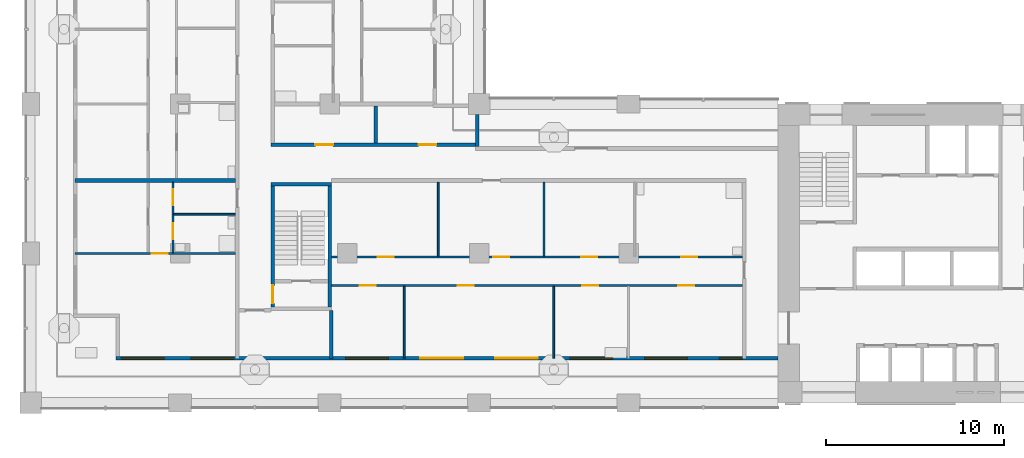
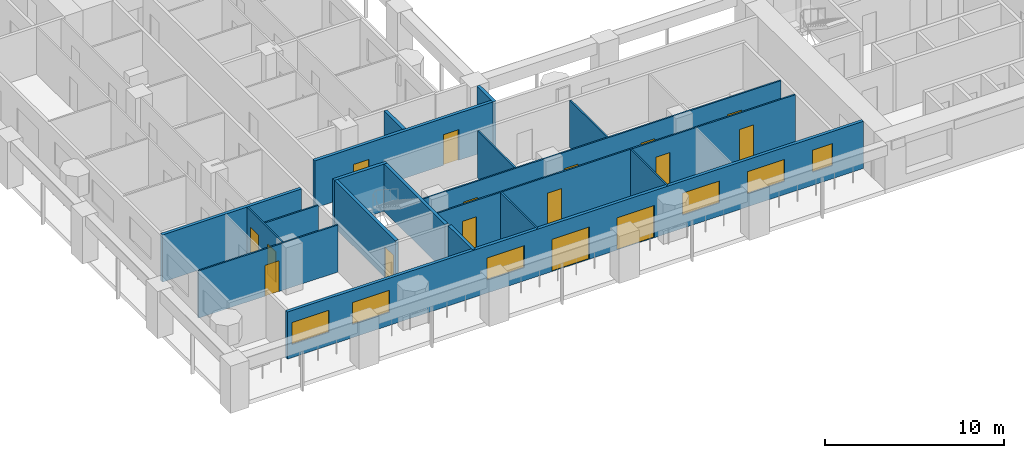
# One storey, part 2 of 18: 18 walls, 16 doors, 6 windows, 22 openings.
"""IFC4 building model written with IfcOpenShell, lengths in metres."""

import ifcopenshell
import ifcopenshell.guid

model = None  # the IFC model being written
_history = None  # IfcOwnerHistory: only IFC2X3 demands one
_inside = {}  # id of a spatial element -> (the spatial element, [elements in it])
_under = {}  # id of a project, library or spatial element -> (it, [spatial elements below it])
_declared = {}  # id of a project -> (the project, [libraries it declares])
_typed = {}  # id of a type object -> (the type object, [elements of that type])
_made_of = {}  # id of a material, layer set ... -> (it, [elements and type objects made of it])


def new_model(schema):
    """Start an empty IFC model of exactly this schema.

    Asked for "IFC4X3", IfcOpenShell would pick the latest addendum, in which some entities
    have other attributes; the version numbers below select the first issue.
    IFC2X3 requires an IfcOwnerHistory on every rooted entity: one is made here for all.
    """
    global model, _history
    if schema == "IFC4X3":
        model = ifcopenshell.file(schema_version=(4, 3, 0, 0))
    else:
        model = ifcopenshell.file(schema=schema)
    _inside.clear()
    _under.clear()
    _declared.clear()
    _typed.clear()
    _made_of.clear()
    _history = None
    if model.schema == "IFC2X3":
        org = make("IfcOrganization", Name="unknown")
        user = make(
            "IfcPersonAndOrganization",
            ThePerson=make("IfcPerson", FamilyName="unknown"),
            TheOrganization=org,
        )
        app = make(
            "IfcApplication",
            ApplicationDeveloper=org,
            Version="unknown",
            ApplicationFullName="unknown",
            ApplicationIdentifier="unknown",
        )
        _history = make(
            "IfcOwnerHistory",
            OwningUser=user,
            OwningApplication=app,
            ChangeAction="ADDED",
            CreationDate=0,
        )
    return model


def make(cls, **values):
    """One entity of the class cls with the attributes given. An attribute that is None is left unset."""
    return model.create_entity(
        cls, **{name: value for name, value in values.items() if value is not None}
    )


def rooted(cls, **values):
    """An entity with a GlobalId (a new one), such as an element, a storey or a relation."""
    return make(cls, GlobalId=ifcopenshell.guid.new(), OwnerHistory=_history, **values)


def si_unit(unit_type, name, prefix=None):
    """IfcSIUnit, for example si_unit("LENGTHUNIT", "METRE", prefix="MILLI")."""
    return make("IfcSIUnit", UnitType=unit_type, Prefix=prefix, Name=name)


def assignment(units):
    """IfcUnitAssignment: the units of a project."""
    return None if units is None else make("IfcUnitAssignment", Units=units)


def point(xyz):
    """IfcCartesianPoint."""
    return None if xyz is None else make("IfcCartesianPoint", Coordinates=xyz)


def direction(xyz):
    """IfcDirection."""
    return None if xyz is None else make("IfcDirection", DirectionRatios=xyz)


def frame(location, z_axis=None, x_axis=None):
    """IfcAxis2Placement3D, a coordinate frame: its origin and axes. An axis left out is left unset."""
    return make(
        "IfcAxis2Placement3D",
        Location=point(location),
        Axis=direction(z_axis),
        RefDirection=direction(x_axis),
    )


def frame_2d(location, x_axis=None):
    """IfcAxis2Placement2D, a coordinate frame in the plane: its origin and x axis."""
    return make(
        "IfcAxis2Placement2D", Location=point(location), RefDirection=direction(x_axis)
    )


def origin():
    """The frame at (0, 0, 0) with its axes left unset."""
    return frame((0.0, 0.0, 0.0))


def place(relative_to, where):
    """IfcLocalPlacement: puts the frame where relative to a parent placement (None: the world)."""
    return make(
        "IfcLocalPlacement", PlacementRelTo=relative_to, RelativePlacement=where
    )


def context(
    kind, dimensions, precision=None, world=None, true_north=None, identifier=None
):
    """IfcGeometricRepresentationContext, for example the 3D "Model" context."""
    return make(
        "IfcGeometricRepresentationContext",
        ContextIdentifier=identifier,
        ContextType=kind,
        CoordinateSpaceDimension=dimensions,
        Precision=precision,
        WorldCoordinateSystem=world,
        TrueNorth=true_north,
    )


def subcontext(parent, identifier, kind, view, scale=None):
    """IfcGeometricRepresentationSubContext, for example "Body" below "Model"."""
    return make(
        "IfcGeometricRepresentationSubContext",
        ContextIdentifier=identifier,
        ContextType=kind,
        ParentContext=parent,
        TargetScale=scale,
        TargetView=view,
    )


def project(units=None, contexts=None):
    """IfcProject with its units and contexts."""
    return rooted(
        "IfcProject",
        Name="project",
        RepresentationContexts=contexts,
        UnitsInContext=assignment(units),
    )


def spatial(cls, under=None, at=None, **own):
    """A site, building, storey or space (cls), placed at a placement, below another one or the project."""
    s = rooted(cls, ObjectPlacement=at, **own)
    if under is not None:
        _under.setdefault(under.id(), (under, []))[1].append(s)
    return s


def profile(cls, at=None, kind="AREA", **sizes):
    """A parametric profile (cls). Its sizes go by their IFC names, for example OverallWidth=200.0."""
    return make(cls, ProfileType=kind, Position=at, **sizes)


def rectangle(**sizes):
    """IfcRectangleProfileDef."""
    return profile("IfcRectangleProfileDef", **sizes)


def extrude(swept, where, along, depth):
    """IfcExtrudedAreaSolid: the profile swept, set in the frame where, extruded along a direction by depth."""
    return make(
        "IfcExtrudedAreaSolid",
        SweptArea=swept,
        Position=where,
        ExtrudedDirection=direction(along),
        Depth=depth,
    )


def shape(context_of_items, identifier, shape_type, items):
    """IfcShapeRepresentation: the items that make up one representation, for example the "Body"."""
    return make(
        "IfcShapeRepresentation",
        ContextOfItems=context_of_items,
        RepresentationIdentifier=identifier,
        RepresentationType=shape_type,
        Items=items,
    )


def material(Name=None, Category=None):
    """IfcMaterial."""
    return make("IfcMaterial", Name=Name, Category=Category)


def layer(
    of_material, thickness, ventilated=None, Name=None, Category=None, Priority=None
):
    """IfcMaterialLayer: one layer of a wall or slab, of a material (None: an air gap)."""
    return make(
        "IfcMaterialLayer",
        Material=of_material,
        LayerThickness=thickness,
        IsVentilated=ventilated,
        Name=Name,
        Category=Category,
        Priority=Priority,
    )


def layer_set(layers, Name=None):
    """IfcMaterialLayerSet."""
    return make("IfcMaterialLayerSet", MaterialLayers=layers, LayerSetName=Name)


def made_of(thing, what):
    """Note that an element or type object is made of a material, layer set ...; save() writes the relation."""
    if what is not None:
        _made_of.setdefault(what.id(), (what, []))[1].append(thing)
    return thing


def type_object(cls, material=None, **own):
    """A type object (cls), such as IfcWallType, which elements share."""
    return made_of(rooted(cls, **own), material)


def element(
    cls,
    number,
    at=None,
    inside=None,
    cuts=None,
    type_object=None,
    material=None,
    context=None,
    identifier="Body",
    shape_type=None,
    held_by="IfcProductDefinitionShape",
    body=None,
    shapes=None,
    **own,
):
    """One element of the class cls, such as IfcWall. Its Tag is "e" and its number.

    at: its placement. inside: the storey or other place that contains it. cuts: it is an
    opening in that element (IfcRelVoidsElement). A single representation is given by context,
    identifier, shape_type and body (its items); several are given by shapes. held_by: the class
    of the entity that holds the representations. save() writes the other relations.
    """
    e = rooted(cls, Tag="e%d" % number, ObjectPlacement=at, **own)
    if body is not None:
        shapes = [shape(context, identifier, shape_type, body)]
    if shapes is not None:
        e.Representation = make(held_by, Representations=shapes)
    if inside is not None:
        _inside.setdefault(inside.id(), (inside, []))[1].append(e)
    if cuts is not None:
        rooted(
            "IfcRelVoidsElement", RelatingBuildingElement=cuts, RelatedOpeningElement=e
        )
    if type_object is not None:
        _typed.setdefault(type_object.id(), (type_object, []))[1].append(e)
    return made_of(e, material)


def fill(opening, filler):
    """IfcRelFillsElement: the door or window that sits in an opening."""
    return rooted(
        "IfcRelFillsElement",
        RelatingOpeningElement=opening,
        RelatedBuildingElement=filler,
    )


def aggregate(whole, parts):
    """IfcRelAggregates: a whole, such as a stair, and the parts it consists of."""
    return rooted("IfcRelAggregates", RelatingObject=whole, RelatedObjects=parts)


def save(model, path):
    """Write the relations noted so far, then the file.

    IfcRelAggregates (storeys below a building ...), IfcRelContainedInSpatialStructure (elements
    in a storey), IfcRelDefinesByType, IfcRelAssociatesMaterial and IfcRelDeclares: one each for
    every whole, place, type object, material and project.
    """
    for whole, parts in _under.values():
        aggregate(whole, parts)
    for where, things in _inside.values():
        rooted(
            "IfcRelContainedInSpatialStructure",
            RelatedElements=things,
            RelatingStructure=where,
        )
    for kind, things in _typed.values():
        rooted("IfcRelDefinesByType", RelatedObjects=things, RelatingType=kind)
    for what, things in _made_of.values():
        rooted("IfcRelAssociatesMaterial", RelatedObjects=things, RelatingMaterial=what)
    for by, libraries in _declared.values():
        rooted("IfcRelDeclares", RelatingContext=by, RelatedDefinitions=libraries)
    model.write(path)


model = new_model("IFC4")

# Units and contexts
model_context = context("Model", 3, precision=1e-05, world=origin(), true_north=direction((0.0, 1.0)))
body_context = subcontext(model_context, "Body", "Model", "MODEL_VIEW")
ifc_project = project(units=[si_unit("LENGTHUNIT", "METRE"), si_unit("AREAUNIT", "SQUARE_METRE"), si_unit("VOLUMEUNIT", "CUBIC_METRE"), si_unit("PLANEANGLEUNIT", "RADIAN"), si_unit("MASSUNIT", "GRAM", prefix="KILO")], contexts=[model_context])

# Site, building, storey
site_placement = place(None, origin())
site = spatial("IfcSite", under=ifc_project, at=site_placement, CompositionType="ELEMENT")
building_placement = place(site_placement, origin())
building = spatial("IfcBuilding", under=site, at=building_placement, Name="Vermilion Gate Residences", CompositionType="ELEMENT")
storey_placement = place(building_placement, frame((0.0, 0.0, 81.199951171875)))
storey = spatial("IfcBuildingStorey", under=building, at=storey_placement, Name="L19", CompositionType="ELEMENT", Elevation=81.199951171875)

# Wall, openings, doors, windows
ifc_material_1 = material(Name="Insulated steel stud wall with terracotta rainscreen", Category="masonry")
ifc_layer_1 = layer(ifc_material_1, 0.199951171875)
ifc_layer_set_1 = layer_set([ifc_layer_1], Name="EXTERNAL WALL 200 TERRACOTTA RAINSCREEN")
wall_type_1 = type_object("IfcWallType", Name="EXTERNAL WALL 200 TERRACOTTA RAINSCREEN", PredefinedType="SOLIDWALL", material=ifc_layer_set_1)
wall_1_placement = place(storey_placement, frame((4.800048828125, 10.89990234375, 0.0), z_axis=(0.0, 0.0, 1.0), x_axis=(1.0, 0.0, 0.0)))
wall_1 = element("IfcWall", 1, at=wall_1_placement, inside=storey, type_object=wall_type_1, Name="External wall", PredefinedType="SOLIDWALL", context=body_context, shape_type="SweptSolid", body=[
    extrude(rectangle(XDim=37.199951171875, YDim=0.199951171875, at=frame_2d((18.60009765625, 0.0))), origin(), (0.0, 0.0, 1.0), 3.219970703125),
])
opening_1_placement = place(wall_1_placement, frame((0.300048828125, 0.0, 0.89990234375)))
opening_1 = element("IfcOpeningElement", 2, at=opening_1_placement, cuts=wall_1, Name="Opening WE19012", PredefinedType="OPENING", context=body_context, shape_type="SweptSolid", body=[
    extrude(rectangle(XDim=2.39990234375, YDim=1.5, at=frame_2d((1.199951171875, 0.75))), frame((0.0, 0.10986328125, 0.0), z_axis=(0.0, -1.0, 0.0), x_axis=(1.0, 0.0, 0.0)), (0.0, 0.0, 1.0), 0.219970703125),
])
opening_2_placement = place(wall_1_placement, frame((4.199951171875, 0.0, 0.89990234375)))
opening_2 = element("IfcOpeningElement", 3, at=opening_2_placement, cuts=wall_1, Name="Opening WE19013", PredefinedType="OPENING", context=body_context, shape_type="SweptSolid", body=[
    extrude(rectangle(XDim=2.39990234375, YDim=1.5, at=frame_2d((1.199951171875, 0.75))), frame((0.0, 0.10986328125, 0.0), z_axis=(0.0, -1.0, 0.0), x_axis=(1.0, 0.0, 0.0)), (0.0, 0.0, 1.0), 0.219970703125),
])
opening_3_placement = place(wall_1_placement, frame((12.89990234375, 0.0, 0.89990234375)))
opening_3 = element("IfcOpeningElement", 4, at=opening_3_placement, cuts=wall_1, Name="Opening WE19014", PredefinedType="OPENING", context=body_context, shape_type="SweptSolid", body=[
    extrude(rectangle(XDim=2.39990234375, YDim=1.5, at=frame_2d((1.199951171875, 0.75))), frame((0.0, 0.10986328125, 0.0), z_axis=(0.0, -1.0, 0.0), x_axis=(1.0, 0.0, 0.0)), (0.0, 0.0, 1.0), 0.219970703125),
])
opening_4_placement = place(wall_1_placement, frame((17.10009765625, 0.0, 0.0)))
opening_4 = element("IfcOpeningElement", 5, at=opening_4_placement, cuts=wall_1, Name="Opening DE19015", PredefinedType="OPENING", context=body_context, shape_type="SweptSolid", body=[
    extrude(rectangle(XDim=2.39990234375, YDim=2.199951171875, at=frame_2d((1.199951171875, 1.10009765625))), frame((0.0, 0.10986328125, 0.0), z_axis=(0.0, -1.0, 0.0), x_axis=(1.0, 0.0, 0.0)), (0.0, 0.0, 1.0), 0.219970703125),
])
opening_5_placement = place(wall_1_placement, frame((21.300048828125, 0.0, 0.0)))
opening_5 = element("IfcOpeningElement", 6, at=opening_5_placement, cuts=wall_1, Name="Opening DE19016", PredefinedType="OPENING", context=body_context, shape_type="SweptSolid", body=[
    extrude(rectangle(XDim=2.39990234375, YDim=2.199951171875, at=frame_2d((1.199951171875, 1.10009765625))), frame((0.0, 0.10986328125, 0.0), z_axis=(0.0, -1.0, 0.0), x_axis=(1.0, 0.0, 0.0)), (0.0, 0.0, 1.0), 0.219970703125),
])
opening_6_placement = place(wall_1_placement, frame((25.5, 0.0, 0.89990234375)))
opening_6 = element("IfcOpeningElement", 7, at=opening_6_placement, cuts=wall_1, Name="Opening WE19017", PredefinedType="OPENING", context=body_context, shape_type="SweptSolid", body=[
    extrude(rectangle(XDim=2.39990234375, YDim=1.5, at=frame_2d((1.199951171875, 0.75))), frame((0.0, 0.10986328125, 0.0), z_axis=(0.0, -1.0, 0.0), x_axis=(1.0, 0.0, 0.0)), (0.0, 0.0, 1.0), 0.219970703125),
])
opening_7_placement = place(wall_1_placement, frame((29.699951171875, 0.0, 0.89990234375)))
opening_7 = element("IfcOpeningElement", 8, at=opening_7_placement, cuts=wall_1, Name="Opening WE19018", PredefinedType="OPENING", context=body_context, shape_type="SweptSolid", body=[
    extrude(rectangle(XDim=2.39990234375, YDim=1.5, at=frame_2d((1.199951171875, 0.75))), frame((0.0, 0.10986328125, 0.0), z_axis=(0.0, -1.0, 0.0), x_axis=(1.0, 0.0, 0.0)), (0.0, 0.0, 1.0), 0.219970703125),
])
opening_8_placement = place(wall_1_placement, frame((33.89990234375, 0.0, 0.89990234375)))
opening_8 = element("IfcOpeningElement", 9, at=opening_8_placement, cuts=wall_1, Name="Opening WE19019", PredefinedType="OPENING", context=body_context, shape_type="SweptSolid", body=[
    extrude(rectangle(XDim=1.300048828125, YDim=1.5, at=frame_2d((0.64990234375, 0.75))), frame((0.0, 0.10986328125, 0.0), z_axis=(0.0, -1.0, 0.0), x_axis=(1.0, 0.0, 0.0)), (0.0, 0.0, 1.0), 0.219970703125),
])
ifc_material_2 = material(Name="Aluminium and clear glass", Category="aluminium")
door_type_1 = type_object("IfcDoorType", Name="SLIDING GLAZED DOOR 2400 X 2200", OperationType="DOUBLE_DOOR_SLIDING", PredefinedType="DOOR", material=ifc_material_2)
door_1_placement = place(opening_4_placement, origin())
door_1 = element("IfcDoor", 10, at=door_1_placement, inside=storey, type_object=door_type_1, Name="Loggia sliding door", OperationType="DOUBLE_DOOR_SLIDING", OverallHeight=2.199951171875, OverallWidth=2.39990234375, PredefinedType="DOOR", context=body_context, shape_type="SweptSolid", body=[
    extrude(rectangle(XDim=2.39990234375, YDim=2.199951171875, at=frame_2d((1.199951171875, 1.10009765625))), frame((0.0, 0.02490234375, 0.0), z_axis=(0.0, -1.0, 0.0), x_axis=(1.0, 0.0, 0.0)), (0.0, 0.0, 1.0), 0.050048828125),
])
fill(opening_4, door_1)
door_2_placement = place(opening_5_placement, origin())
door_2 = element("IfcDoor", 11, at=door_2_placement, inside=storey, type_object=door_type_1, Name="Loggia sliding door", OperationType="DOUBLE_DOOR_SLIDING", OverallHeight=2.199951171875, OverallWidth=2.39990234375, PredefinedType="DOOR", context=body_context, shape_type="SweptSolid", body=[
    extrude(rectangle(XDim=2.39990234375, YDim=2.199951171875, at=frame_2d((1.199951171875, 1.10009765625))), frame((0.0, 0.02490234375, 0.0), z_axis=(0.0, -1.0, 0.0), x_axis=(1.0, 0.0, 0.0)), (0.0, 0.0, 1.0), 0.050048828125),
])
fill(opening_5, door_2)
ifc_material_3 = material(Name="Aluminium and clear glass", Category="aluminium")
window_type_1 = type_object("IfcWindowType", Name="WINDOW 1300 X 1500", PartitioningType="SINGLE_PANEL", PredefinedType="WINDOW", material=ifc_material_3)
window_1_placement = place(opening_8_placement, origin())
window_1 = element("IfcWindow", 12, at=window_1_placement, inside=storey, type_object=window_type_1, Name="Window", OverallHeight=1.5, OverallWidth=1.300048828125, PartitioningType="SINGLE_PANEL", PredefinedType="WINDOW", context=body_context, shape_type="SweptSolid", body=[
    extrude(rectangle(XDim=1.300048828125, YDim=1.5, at=frame_2d((0.64990234375, 0.75))), frame((0.0, 0.030029296875, 0.0), z_axis=(0.0, -1.0, 0.0), x_axis=(1.0, 0.0, 0.0)), (0.0, 0.0, 1.0), 0.06005859375),
])
fill(opening_8, window_1)
ifc_material_4 = material(Name="Aluminium and clear glass", Category="aluminium")
window_type_2 = type_object("IfcWindowType", Name="WINDOW 2400 X 1500", PartitioningType="SINGLE_PANEL", PredefinedType="WINDOW", material=ifc_material_4)
window_2_placement = place(opening_1_placement, origin())
window_2 = element("IfcWindow", 13, at=window_2_placement, inside=storey, type_object=window_type_2, Name="Window", OverallHeight=1.5, OverallWidth=2.39990234375, PartitioningType="SINGLE_PANEL", PredefinedType="WINDOW", context=body_context, shape_type="SweptSolid", body=[
    extrude(rectangle(XDim=2.39990234375, YDim=1.5, at=frame_2d((1.199951171875, 0.75))), frame((0.0, 0.030029296875, 0.0), z_axis=(0.0, -1.0, 0.0), x_axis=(1.0, 0.0, 0.0)), (0.0, 0.0, 1.0), 0.06005859375),
])
fill(opening_1, window_2)
window_3_placement = place(opening_2_placement, origin())
window_3 = element("IfcWindow", 14, at=window_3_placement, inside=storey, type_object=window_type_2, Name="Window", OverallHeight=1.5, OverallWidth=2.39990234375, PartitioningType="SINGLE_PANEL", PredefinedType="WINDOW", context=body_context, shape_type="SweptSolid", body=[
    extrude(rectangle(XDim=2.39990234375, YDim=1.5, at=frame_2d((1.199951171875, 0.75))), frame((0.0, 0.030029296875, 0.0), z_axis=(0.0, -1.0, 0.0), x_axis=(1.0, 0.0, 0.0)), (0.0, 0.0, 1.0), 0.06005859375),
])
fill(opening_2, window_3)
window_4_placement = place(opening_3_placement, origin())
window_4 = element("IfcWindow", 15, at=window_4_placement, inside=storey, type_object=window_type_2, Name="Window", OverallHeight=1.5, OverallWidth=2.39990234375, PartitioningType="SINGLE_PANEL", PredefinedType="WINDOW", context=body_context, shape_type="SweptSolid", body=[
    extrude(rectangle(XDim=2.39990234375, YDim=1.5, at=frame_2d((1.199951171875, 0.75))), frame((0.0, 0.030029296875, 0.0), z_axis=(0.0, -1.0, 0.0), x_axis=(1.0, 0.0, 0.0)), (0.0, 0.0, 1.0), 0.06005859375),
])
fill(opening_3, window_4)
window_5_placement = place(opening_6_placement, origin())
window_5 = element("IfcWindow", 16, at=window_5_placement, inside=storey, type_object=window_type_2, Name="Window", OverallHeight=1.5, OverallWidth=2.39990234375, PartitioningType="SINGLE_PANEL", PredefinedType="WINDOW", context=body_context, shape_type="SweptSolid", body=[
    extrude(rectangle(XDim=2.39990234375, YDim=1.5, at=frame_2d((1.199951171875, 0.75))), frame((0.0, 0.030029296875, 0.0), z_axis=(0.0, -1.0, 0.0), x_axis=(1.0, 0.0, 0.0)), (0.0, 0.0, 1.0), 0.06005859375),
])
fill(opening_6, window_5)
window_6_placement = place(opening_7_placement, origin())
window_6 = element("IfcWindow", 17, at=window_6_placement, inside=storey, type_object=window_type_2, Name="Window", OverallHeight=1.5, OverallWidth=2.39990234375, PartitioningType="SINGLE_PANEL", PredefinedType="WINDOW", context=body_context, shape_type="SweptSolid", body=[
    extrude(rectangle(XDim=2.39990234375, YDim=1.5, at=frame_2d((1.199951171875, 0.75))), frame((0.0, 0.030029296875, 0.0), z_axis=(0.0, -1.0, 0.0), x_axis=(1.0, 0.0, 0.0)), (0.0, 0.0, 1.0), 0.06005859375),
])
fill(opening_7, window_6)

# Wall
wall_2_placement = place(storey_placement, frame((25.10009765625, 22.800048828125, 0.0), z_axis=(0.0, 0.0, 1.0), x_axis=(0.0, 1.0, 0.0)))
element("IfcWall", 18, at=wall_2_placement, inside=storey, type_object=wall_type_1, Name="External wall", PredefinedType="SOLIDWALL", context=body_context, shape_type="SweptSolid", body=[
    extrude(rectangle(XDim=1.800048828125, YDim=0.199951171875, at=frame_2d((0.89990234375, 0.0))), origin(), (0.0, 0.0, 1.0), 3.219970703125),
])

# Wall, openings, doors
ifc_material_5 = material(Name="Plasterboard on steel studs", Category="steel")
ifc_layer_2 = layer(ifc_material_5, 0.10009765625)
ifc_layer_set_2 = layer_set([ifc_layer_2], Name="PARTITION 100")
wall_type_2 = type_object("IfcWallType", Name="PARTITION 100", PredefinedType="PARTITIONING", material=ifc_layer_set_2)
wall_3_placement = place(storey_placement, frame((16.89990234375, 15.0, 0.0), z_axis=(0.0, 0.0, 1.0), x_axis=(1.0, 0.0, 0.0)))
wall_3 = element("IfcWall", 19, at=wall_3_placement, inside=storey, type_object=wall_type_2, Name="Partition", PredefinedType="PARTITIONING", context=body_context, shape_type="SweptSolid", body=[
    extrude(rectangle(XDim=23.10009765625, YDim=0.10009765625, at=frame_2d((11.550048828125, 0.0))), origin(), (0.0, 0.0, 1.0), 3.219970703125),
])
opening_9_placement = place(wall_3_placement, frame((1.60009765625, 0.0, 0.0)))
opening_9 = element("IfcOpeningElement", 20, at=opening_9_placement, cuts=wall_3, Name="Opening DA19002", PredefinedType="OPENING", context=body_context, shape_type="SweptSolid", body=[
    extrude(rectangle(XDim=0.89990234375, YDim=2.10009765625, at=frame_2d((0.449951171875, 1.050048828125))), frame((0.0, 0.06005859375, 0.0), z_axis=(0.0, -1.0, 0.0), x_axis=(1.0, 0.0, 0.0)), (0.0, 0.0, 1.0), 0.1201171875),
])
opening_10_placement = place(wall_3_placement, frame((7.10009765625, 0.0, 0.0)))
opening_10 = element("IfcOpeningElement", 21, at=opening_10_placement, cuts=wall_3, Name="Opening DA19003", PredefinedType="OPENING", context=body_context, shape_type="SweptSolid", body=[
    extrude(rectangle(XDim=0.89990234375, YDim=2.10009765625, at=frame_2d((0.449951171875, 1.050048828125))), frame((0.0, 0.06005859375, 0.0), z_axis=(0.0, -1.0, 0.0), x_axis=(1.0, 0.0, 0.0)), (0.0, 0.0, 1.0), 0.1201171875),
])
opening_11_placement = place(wall_3_placement, frame((14.10009765625, 0.0, 0.0)))
opening_11 = element("IfcOpeningElement", 22, at=opening_11_placement, cuts=wall_3, Name="Opening DA19004", PredefinedType="OPENING", context=body_context, shape_type="SweptSolid", body=[
    extrude(rectangle(XDim=0.89990234375, YDim=2.10009765625, at=frame_2d((0.449951171875, 1.050048828125))), frame((0.0, 0.06005859375, 0.0), z_axis=(0.0, -1.0, 0.0), x_axis=(1.0, 0.0, 0.0)), (0.0, 0.0, 1.0), 0.1201171875),
])
opening_12_placement = place(wall_3_placement, frame((19.5, 0.0, 0.0)))
opening_12 = element("IfcOpeningElement", 23, at=opening_12_placement, cuts=wall_3, Name="Opening DA19005", PredefinedType="OPENING", context=body_context, shape_type="SweptSolid", body=[
    extrude(rectangle(XDim=0.89990234375, YDim=2.10009765625, at=frame_2d((0.449951171875, 1.050048828125))), frame((0.0, 0.06005859375, 0.0), z_axis=(0.0, -1.0, 0.0), x_axis=(1.0, 0.0, 0.0)), (0.0, 0.0, 1.0), 0.1201171875),
])
ifc_material_6 = material(Name="Timber", Category="wood")
door_type_2 = type_object("IfcDoorType", Name="INTERIOR DOOR 900 X 2100", OperationType="SINGLE_SWING_LEFT", PredefinedType="DOOR", material=ifc_material_6)
door_3_placement = place(opening_9_placement, frame((0.89990234375, 0.0, 0.0), z_axis=(0.0, 0.0, 1.0), x_axis=(-1.0, 0.0, 0.0)))
door_3 = element("IfcDoor", 24, at=door_3_placement, inside=storey, type_object=door_type_2, Name="Interior door", OperationType="SINGLE_SWING_LEFT", OverallHeight=2.10009765625, OverallWidth=0.89990234375, PredefinedType="DOOR", context=body_context, shape_type="SweptSolid", body=[
    extrude(rectangle(XDim=0.89990234375, YDim=2.10009765625, at=frame_2d((0.449951171875, 1.050048828125))), frame((0.0, 0.02490234375, 0.0), z_axis=(0.0, -1.0, 0.0), x_axis=(1.0, 0.0, 0.0)), (0.0, 0.0, 1.0), 0.050048828125),
])
fill(opening_9, door_3)
door_4_placement = place(opening_10_placement, frame((0.89990234375, 0.0, 0.0), z_axis=(0.0, 0.0, 1.0), x_axis=(-1.0, 0.0, 0.0)))
door_4 = element("IfcDoor", 25, at=door_4_placement, inside=storey, type_object=door_type_2, Name="Interior door", OperationType="SINGLE_SWING_RIGHT", OverallHeight=2.10009765625, OverallWidth=0.89990234375, PredefinedType="DOOR", context=body_context, shape_type="SweptSolid", body=[
    extrude(rectangle(XDim=0.89990234375, YDim=2.10009765625, at=frame_2d((0.449951171875, 1.050048828125))), frame((0.0, 0.02490234375, 0.0), z_axis=(0.0, -1.0, 0.0), x_axis=(1.0, 0.0, 0.0)), (0.0, 0.0, 1.0), 0.050048828125),
])
fill(opening_10, door_4)
door_5_placement = place(opening_11_placement, frame((0.89990234375, 0.0, 0.0), z_axis=(0.0, 0.0, 1.0), x_axis=(-1.0, 0.0, 0.0)))
door_5 = element("IfcDoor", 26, at=door_5_placement, inside=storey, type_object=door_type_2, Name="Interior door", OperationType="SINGLE_SWING_RIGHT", OverallHeight=2.10009765625, OverallWidth=0.89990234375, PredefinedType="DOOR", context=body_context, shape_type="SweptSolid", body=[
    extrude(rectangle(XDim=0.89990234375, YDim=2.10009765625, at=frame_2d((0.449951171875, 1.050048828125))), frame((0.0, 0.02490234375, 0.0), z_axis=(0.0, -1.0, 0.0), x_axis=(1.0, 0.0, 0.0)), (0.0, 0.0, 1.0), 0.050048828125),
])
fill(opening_11, door_5)
door_6_placement = place(opening_12_placement, frame((0.89990234375, 0.0, 0.0), z_axis=(0.0, 0.0, 1.0), x_axis=(-1.0, 0.0, 0.0)))
door_6 = element("IfcDoor", 27, at=door_6_placement, inside=storey, type_object=door_type_2, Name="Interior door", OperationType="SINGLE_SWING_LEFT", OverallHeight=2.10009765625, OverallWidth=0.89990234375, PredefinedType="DOOR", context=body_context, shape_type="SweptSolid", body=[
    extrude(rectangle(XDim=0.89990234375, YDim=2.10009765625, at=frame_2d((0.449951171875, 1.050048828125))), frame((0.0, 0.02490234375, 0.0), z_axis=(0.0, -1.0, 0.0), x_axis=(1.0, 0.0, 0.0)), (0.0, 0.0, 1.0), 0.050048828125),
])
fill(opening_12, door_6)

wall_4_placement = place(storey_placement, frame((16.89990234375, 16.60009765625, 0.0), z_axis=(0.0, 0.0, 1.0), x_axis=(1.0, 0.0, 0.0)))
wall_4 = element("IfcWall", 28, at=wall_4_placement, inside=storey, type_object=wall_type_2, Name="Partition", PredefinedType="PARTITIONING", context=body_context, shape_type="SweptSolid", body=[
    extrude(rectangle(XDim=23.10009765625, YDim=0.10009765625, at=frame_2d((11.550048828125, 0.0))), origin(), (0.0, 0.0, 1.0), 3.219970703125),
])
opening_13_placement = place(wall_4_placement, frame((9.10009765625, 0.0, 0.0)))
opening_13 = element("IfcOpeningElement", 29, at=opening_13_placement, cuts=wall_4, Name="Opening DA19006", PredefinedType="OPENING", context=body_context, shape_type="SweptSolid", body=[
    extrude(rectangle(XDim=0.89990234375, YDim=2.10009765625, at=frame_2d((0.449951171875, 1.050048828125))), frame((0.0, 0.06005859375, 0.0), z_axis=(0.0, -1.0, 0.0), x_axis=(1.0, 0.0, 0.0)), (0.0, 0.0, 1.0), 0.1201171875),
])
opening_14_placement = place(wall_4_placement, frame((2.60009765625, 0.0, 0.0)))
opening_14 = element("IfcOpeningElement", 30, at=opening_14_placement, cuts=wall_4, Name="Opening DA19007", PredefinedType="OPENING", context=body_context, shape_type="SweptSolid", body=[
    extrude(rectangle(XDim=0.89990234375, YDim=2.10009765625, at=frame_2d((0.449951171875, 1.050048828125))), frame((0.0, 0.06005859375, 0.0), z_axis=(0.0, -1.0, 0.0), x_axis=(1.0, 0.0, 0.0)), (0.0, 0.0, 1.0), 0.1201171875),
])
opening_15_placement = place(wall_4_placement, frame((14.050048828125, 0.0, 0.0)))
opening_15 = element("IfcOpeningElement", 31, at=opening_15_placement, cuts=wall_4, Name="Opening DA19008", PredefinedType="OPENING", context=body_context, shape_type="SweptSolid", body=[
    extrude(rectangle(XDim=0.89990234375, YDim=2.10009765625, at=frame_2d((0.449951171875, 1.050048828125))), frame((0.0, 0.06005859375, 0.0), z_axis=(0.0, -1.0, 0.0), x_axis=(1.0, 0.0, 0.0)), (0.0, 0.0, 1.0), 0.1201171875),
])
opening_16_placement = place(wall_4_placement, frame((19.64990234375, 0.0, 0.0)))
opening_16 = element("IfcOpeningElement", 32, at=opening_16_placement, cuts=wall_4, Name="Opening DA19009", PredefinedType="OPENING", context=body_context, shape_type="SweptSolid", body=[
    extrude(rectangle(XDim=0.89990234375, YDim=2.10009765625, at=frame_2d((0.449951171875, 1.050048828125))), frame((0.0, 0.06005859375, 0.0), z_axis=(0.0, -1.0, 0.0), x_axis=(1.0, 0.0, 0.0)), (0.0, 0.0, 1.0), 0.1201171875),
])
door_7_placement = place(opening_13_placement, origin())
door_7 = element("IfcDoor", 33, at=door_7_placement, inside=storey, type_object=door_type_2, Name="Interior door", OperationType="SINGLE_SWING_LEFT", OverallHeight=2.10009765625, OverallWidth=0.89990234375, PredefinedType="DOOR", context=body_context, shape_type="SweptSolid", body=[
    extrude(rectangle(XDim=0.89990234375, YDim=2.10009765625, at=frame_2d((0.449951171875, 1.050048828125))), frame((0.0, 0.02490234375, 0.0), z_axis=(0.0, -1.0, 0.0), x_axis=(1.0, 0.0, 0.0)), (0.0, 0.0, 1.0), 0.050048828125),
])
fill(opening_13, door_7)
door_8_placement = place(opening_14_placement, origin())
door_8 = element("IfcDoor", 34, at=door_8_placement, inside=storey, type_object=door_type_2, Name="Interior door", OperationType="SINGLE_SWING_LEFT", OverallHeight=2.10009765625, OverallWidth=0.89990234375, PredefinedType="DOOR", context=body_context, shape_type="SweptSolid", body=[
    extrude(rectangle(XDim=0.89990234375, YDim=2.10009765625, at=frame_2d((0.449951171875, 1.050048828125))), frame((0.0, 0.02490234375, 0.0), z_axis=(0.0, -1.0, 0.0), x_axis=(1.0, 0.0, 0.0)), (0.0, 0.0, 1.0), 0.050048828125),
])
fill(opening_14, door_8)
door_9_placement = place(opening_15_placement, origin())
door_9 = element("IfcDoor", 35, at=door_9_placement, inside=storey, type_object=door_type_2, Name="Interior door", OperationType="SINGLE_SWING_RIGHT", OverallHeight=2.10009765625, OverallWidth=0.89990234375, PredefinedType="DOOR", context=body_context, shape_type="SweptSolid", body=[
    extrude(rectangle(XDim=0.89990234375, YDim=2.10009765625, at=frame_2d((0.449951171875, 1.050048828125))), frame((0.0, 0.02490234375, 0.0), z_axis=(0.0, -1.0, 0.0), x_axis=(1.0, 0.0, 0.0)), (0.0, 0.0, 1.0), 0.050048828125),
])
fill(opening_15, door_9)
door_10_placement = place(opening_16_placement, origin())
door_10 = element("IfcDoor", 36, at=door_10_placement, inside=storey, type_object=door_type_2, Name="Interior door", OperationType="SINGLE_SWING_RIGHT", OverallHeight=2.10009765625, OverallWidth=0.89990234375, PredefinedType="DOOR", context=body_context, shape_type="SweptSolid", body=[
    extrude(rectangle(XDim=0.89990234375, YDim=2.10009765625, at=frame_2d((0.449951171875, 1.050048828125))), frame((0.0, 0.02490234375, 0.0), z_axis=(0.0, -1.0, 0.0), x_axis=(1.0, 0.0, 0.0)), (0.0, 0.0, 1.0), 0.050048828125),
])
fill(opening_16, door_10)

# Wall, opening, door
wall_5_placement = place(storey_placement, frame((2.5, 16.800048828125, 0.0), z_axis=(0.0, 0.0, 1.0), x_axis=(1.0, 0.0, 0.0)))
wall_5 = element("IfcWall", 37, at=wall_5_placement, inside=storey, type_object=wall_type_2, Name="Partition", PredefinedType="PARTITIONING", context=body_context, shape_type="SweptSolid", body=[
    extrude(rectangle(XDim=9.0, YDim=0.10009765625, at=frame_2d((4.5, 0.0))), origin(), (0.0, 0.0, 1.0), 3.219970703125),
])
opening_17_placement = place(wall_5_placement, frame((4.300048828125, 0.0, 0.0)))
opening_17 = element("IfcOpeningElement", 38, at=opening_17_placement, cuts=wall_5, Name="Opening DA19010", PredefinedType="OPENING", context=body_context, shape_type="SweptSolid", body=[
    extrude(rectangle(XDim=0.89990234375, YDim=2.10009765625, at=frame_2d((0.449951171875, 1.050048828125))), frame((0.0, 0.06005859375, 0.0), z_axis=(0.0, -1.0, 0.0), x_axis=(1.0, 0.0, 0.0)), (0.0, 0.0, 1.0), 0.1201171875),
])
door_11_placement = place(opening_17_placement, frame((0.89990234375, 0.0, 0.0), z_axis=(0.0, 0.0, 1.0), x_axis=(-1.0, 0.0, 0.0)))
door_11 = element("IfcDoor", 39, at=door_11_placement, inside=storey, type_object=door_type_2, Name="Interior door", OperationType="SINGLE_SWING_LEFT", OverallHeight=2.10009765625, OverallWidth=0.89990234375, PredefinedType="DOOR", context=body_context, shape_type="SweptSolid", body=[
    extrude(rectangle(XDim=0.89990234375, YDim=2.10009765625, at=frame_2d((0.449951171875, 1.050048828125))), frame((0.0, 0.02490234375, 0.0), z_axis=(0.0, -1.0, 0.0), x_axis=(1.0, 0.0, 0.0)), (0.0, 0.0, 1.0), 0.050048828125),
])
fill(opening_17, door_11)

# Wall
wall_6_placement = place(storey_placement, frame((8.050048828125, 19.0, 0.0), z_axis=(0.0, 0.0, 1.0), x_axis=(1.0, 0.0, 0.0)))
element("IfcWall", 40, at=wall_6_placement, inside=storey, type_object=wall_type_2, Name="Partition", PredefinedType="PARTITIONING", context=body_context, shape_type="SweptSolid", body=[
    extrude(rectangle(XDim=3.449951171875, YDim=0.10009765625, at=frame_2d((1.72509765625, 0.0))), origin(), (0.0, 0.0, 1.0), 3.219970703125),
])

# Wall, openings, doors
wall_7_placement = place(storey_placement, frame((8.0, 16.85009765625, 0.0), z_axis=(0.0, 0.0, 1.0), x_axis=(0.0, 1.0, 0.0)))
wall_7 = element("IfcWall", 41, at=wall_7_placement, inside=storey, type_object=wall_type_2, Name="Partition", PredefinedType="PARTITIONING", context=body_context, shape_type="SweptSolid", body=[
    extrude(rectangle(XDim=3.949951171875, YDim=0.10009765625, at=frame_2d((1.97509765625, 0.0))), origin(), (0.0, 0.0, 1.0), 3.219970703125),
])
opening_18_placement = place(wall_7_placement, frame((2.64990234375, 0.0, 0.0)))
opening_18 = element("IfcOpeningElement", 42, at=opening_18_placement, cuts=wall_7, Name="Opening DA19024", PredefinedType="OPENING", context=body_context, shape_type="SweptSolid", body=[
    extrude(rectangle(XDim=0.89990234375, YDim=2.10009765625, at=frame_2d((0.449951171875, 1.050048828125))), frame((0.0, 0.06005859375, 0.0), z_axis=(0.0, -1.0, 0.0), x_axis=(1.0, 0.0, 0.0)), (0.0, 0.0, 1.0), 0.1201171875),
])
opening_19_placement = place(wall_7_placement, frame((0.75, 0.0, 0.0)))
opening_19 = element("IfcOpeningElement", 43, at=opening_19_placement, cuts=wall_7, Name="Opening DA19025", PredefinedType="OPENING", context=body_context, shape_type="SweptSolid", body=[
    extrude(rectangle(XDim=0.89990234375, YDim=2.10009765625, at=frame_2d((0.449951171875, 1.050048828125))), frame((0.0, 0.06005859375, 0.0), z_axis=(0.0, -1.0, 0.0), x_axis=(1.0, 0.0, 0.0)), (0.0, 0.0, 1.0), 0.1201171875),
])
door_12_placement = place(opening_18_placement, origin())
door_12 = element("IfcDoor", 44, at=door_12_placement, inside=storey, type_object=door_type_2, Name="Interior door", OperationType="SINGLE_SWING_RIGHT", OverallHeight=2.10009765625, OverallWidth=0.89990234375, PredefinedType="DOOR", context=body_context, shape_type="SweptSolid", body=[
    extrude(rectangle(XDim=0.89990234375, YDim=2.10009765625, at=frame_2d((0.449951171875, 1.050048828125))), frame((0.0, 0.02490234375, 0.0), z_axis=(0.0, -1.0, 0.0), x_axis=(1.0, 0.0, 0.0)), (0.0, 0.0, 1.0), 0.050048828125),
])
fill(opening_18, door_12)
door_13_placement = place(opening_19_placement, frame((0.89990234375, 0.0, 0.0), z_axis=(0.0, 0.0, 1.0), x_axis=(-1.0, 0.0, 0.0)))
door_13 = element("IfcDoor", 45, at=door_13_placement, inside=storey, type_object=door_type_2, Name="Interior door", OperationType="SINGLE_SWING_RIGHT", OverallHeight=2.10009765625, OverallWidth=0.89990234375, PredefinedType="DOOR", context=body_context, shape_type="SweptSolid", body=[
    extrude(rectangle(XDim=0.89990234375, YDim=2.10009765625, at=frame_2d((0.449951171875, 1.050048828125))), frame((0.0, 0.02490234375, 0.0), z_axis=(0.0, -1.0, 0.0), x_axis=(1.0, 0.0, 0.0)), (0.0, 0.0, 1.0), 0.050048828125),
])
fill(opening_19, door_13)

# Walls
wall_8_placement = place(storey_placement, frame((21.0, 10.89990234375, 0.0), z_axis=(0.0, 0.0, 1.0), x_axis=(0.0, 1.0, 0.0)))
element("IfcWall", 46, at=wall_8_placement, inside=storey, type_object=wall_type_2, Name="Partition", PredefinedType="PARTITIONING", context=body_context, shape_type="SweptSolid", body=[
    extrude(rectangle(XDim=4.050048828125, YDim=0.10009765625, at=frame_2d((2.02490234375, 0.0))), origin(), (0.0, 0.0, 1.0), 3.219970703125),
])
for number, where, z_axis, x_axis, name in (
    (47, (22.89990234375, 16.64990234375, 0.0), (0.0, 0.0, 1.0), (0.0, 1.0, 0.0), "Partition"),
    (48, (28.85009765625, 16.64990234375, 0.0), (0.0, 0.0, 1.0), (0.0, 1.0, 0.0), "Partition"),
):
    element("IfcWall", number, at=place(storey_placement, frame(where, z_axis=z_axis, x_axis=x_axis)), inside=storey, type_object=wall_type_2, Name=name, PredefinedType="PARTITIONING", context=body_context, shape_type="SweptSolid", body=[
        extrude(rectangle(XDim=4.150146484375, YDim=0.10009765625, at=frame_2d((2.0751953125, 0.0))), origin(), (0.0, 0.0, 1.0), 3.219970703125),
    ])
wall_9_placement = place(storey_placement, frame((29.39990234375, 10.89990234375, 0.0), z_axis=(0.0, 0.0, 1.0), x_axis=(0.0, 1.0, 0.0)))
element("IfcWall", 49, at=wall_9_placement, inside=storey, type_object=wall_type_2, Name="Partition", PredefinedType="PARTITIONING", context=body_context, shape_type="SweptSolid", body=[
    extrude(rectangle(XDim=4.050048828125, YDim=0.10009765625, at=frame_2d((2.02490234375, 0.0))), origin(), (0.0, 0.0, 1.0), 3.219970703125),
])
ifc_material_7 = material(Name="Fire-rated plasterboard on steel studs", Category="steel")
ifc_layer_3 = layer(ifc_material_7, 0.199951171875)
ifc_layer_set_3 = layer_set([ifc_layer_3], Name="PARTY WALL 200 EI 120")
wall_type_3 = type_object("IfcWallType", Name="PARTY WALL 200 EI 120", PredefinedType="PARTITIONING", material=ifc_layer_set_3)
wall_10_placement = place(storey_placement, frame((2.5, 20.89990234375, 0.0), z_axis=(0.0, 0.0, 1.0), x_axis=(1.0, 0.0, 0.0)))
element("IfcWall", 50, at=wall_10_placement, inside=storey, type_object=wall_type_3, Name="Party and corridor wall", PredefinedType="PARTITIONING", context=body_context, shape_type="SweptSolid", body=[
    extrude(rectangle(XDim=9.0, YDim=0.199951171875, at=frame_2d((4.5, 0.0))), origin(), (0.0, 0.0, 1.0), 3.219970703125),
])

# Wall, openings, doors
wall_11_placement = place(storey_placement, frame((13.5, 22.89990234375, 0.0), z_axis=(0.0, 0.0, 1.0), x_axis=(1.0, 0.0, 0.0)))
wall_11 = element("IfcWall", 51, at=wall_11_placement, inside=storey, type_object=wall_type_3, Name="Party and corridor wall", PredefinedType="PARTITIONING", context=body_context, shape_type="SweptSolid", body=[
    extrude(rectangle(XDim=11.60009765625, YDim=0.199951171875, at=frame_2d((5.800048828125, 0.0))), origin(), (0.0, 0.0, 1.0), 3.219970703125),
])
opening_20_placement = place(wall_11_placement, frame((2.5, 0.0, 0.0)))
opening_20 = element("IfcOpeningElement", 52, at=opening_20_placement, cuts=wall_11, Name="Opening DA19012", PredefinedType="OPENING", context=body_context, shape_type="SweptSolid", body=[
    extrude(rectangle(XDim=1.0, YDim=2.10009765625, at=frame_2d((0.5, 1.050048828125))), frame((0.0, 0.10986328125, 0.0), z_axis=(0.0, -1.0, 0.0), x_axis=(1.0, 0.0, 0.0)), (0.0, 0.0, 1.0), 0.219970703125),
])
opening_21_placement = place(wall_11_placement, frame((8.300048828125, 0.0, 0.0)))
opening_21 = element("IfcOpeningElement", 53, at=opening_21_placement, cuts=wall_11, Name="Opening DA19013", PredefinedType="OPENING", context=body_context, shape_type="SweptSolid", body=[
    extrude(rectangle(XDim=1.0, YDim=2.10009765625, at=frame_2d((0.5, 1.050048828125))), frame((0.0, 0.10986328125, 0.0), z_axis=(0.0, -1.0, 0.0), x_axis=(1.0, 0.0, 0.0)), (0.0, 0.0, 1.0), 0.219970703125),
])
ifc_material_8 = material(Name="Steel", Category="steel")
door_type_3 = type_object("IfcDoorType", Name="ENTRANCE DOOR 1000 X 2100 FD30", OperationType="SINGLE_SWING_LEFT", PredefinedType="DOOR", material=ifc_material_8)
door_14_placement = place(opening_20_placement, origin())
door_14 = element("IfcDoor", 54, at=door_14_placement, inside=storey, type_object=door_type_3, Name="Entrance door", OperationType="SINGLE_SWING_RIGHT", OverallHeight=2.10009765625, OverallWidth=1.0, PredefinedType="DOOR", context=body_context, shape_type="SweptSolid", body=[
    extrude(rectangle(XDim=1.0, YDim=2.10009765625, at=frame_2d((0.5, 1.050048828125))), frame((0.0, 0.02490234375, 0.0), z_axis=(0.0, -1.0, 0.0), x_axis=(1.0, 0.0, 0.0)), (0.0, 0.0, 1.0), 0.050048828125),
])
fill(opening_20, door_14)
door_15_placement = place(opening_21_placement, origin())
door_15 = element("IfcDoor", 55, at=door_15_placement, inside=storey, type_object=door_type_3, Name="Entrance door", OperationType="SINGLE_SWING_RIGHT", OverallHeight=2.10009765625, OverallWidth=1.0, PredefinedType="DOOR", context=body_context, shape_type="SweptSolid", body=[
    extrude(rectangle(XDim=1.0, YDim=2.10009765625, at=frame_2d((0.5, 1.050048828125))), frame((0.0, 0.02490234375, 0.0), z_axis=(0.0, -1.0, 0.0), x_axis=(1.0, 0.0, 0.0)), (0.0, 0.0, 1.0), 0.050048828125),
])
fill(opening_21, door_15)

# Walls
wall_12_placement = place(storey_placement, frame((16.89990234375, 10.89990234375, 0.0), z_axis=(0.0, 0.0, 1.0), x_axis=(0.0, 1.0, 0.0)))
element("IfcWall", 56, at=wall_12_placement, inside=storey, type_object=wall_type_3, Name="Party and corridor wall", PredefinedType="PARTITIONING", context=body_context, shape_type="SweptSolid", body=[
    extrude(rectangle(XDim=2.7001953125, YDim=0.199951171875, at=frame_2d((1.35009765625, 0.0))), origin(), (0.0, 0.0, 1.0), 3.219970703125),
])
wall_13_placement = place(storey_placement, frame((19.39990234375, 23.0, 0.0), z_axis=(0.0, 0.0, 1.0), x_axis=(0.0, 1.0, 0.0)))
element("IfcWall", 57, at=wall_13_placement, inside=storey, type_object=wall_type_3, Name="Party and corridor wall", PredefinedType="PARTITIONING", context=body_context, shape_type="SweptSolid", body=[
    extrude(rectangle(XDim=2.10009765625, YDim=0.199951171875, at=frame_2d((1.050048828125, 0.0))), origin(), (0.0, 0.0, 1.0), 3.219970703125),
])

# Wall, opening, door
ifc_material_9 = material(Name="Concrete C60", Category="concrete")
ifc_layer_4 = layer(ifc_material_9, 0.199951171875)
ifc_layer_set_4 = layer_set([ifc_layer_4], Name="RC CORE INTERNAL WALL 200 C60")
wall_type_4 = type_object("IfcWallType", Name="RC CORE INTERNAL WALL 200 C60", PredefinedType="SHEAR", material=ifc_layer_set_4)
wall_14_placement = place(storey_placement, frame((13.60009765625, 13.800048828125, 0.0), z_axis=(0.0, 0.0, 1.0), x_axis=(0.0, 1.0, 0.0)))
wall_14 = element("IfcWall", 58, at=wall_14_placement, inside=storey, type_object=wall_type_4, Name="Core internal wall C19-W", PredefinedType="SHEAR", context=body_context, shape_type="SweptSolid", body=[
    extrude(rectangle(XDim=6.800048828125, YDim=0.199951171875, at=frame_2d((3.39990234375, 0.0))), origin(), (0.0, 0.0, 1.0), 3.219970703125),
])
opening_22_placement = place(wall_14_placement, frame((0.199951171875, 0.0, 0.0)))
opening_22 = element("IfcOpeningElement", 59, at=opening_22_placement, cuts=wall_14, Name="Opening DK19201", PredefinedType="OPENING", context=body_context, shape_type="SweptSolid", body=[
    extrude(rectangle(XDim=1.0, YDim=2.10009765625, at=frame_2d((0.5, 1.050048828125))), frame((0.0, 0.10986328125, 0.0), z_axis=(0.0, -1.0, 0.0), x_axis=(1.0, 0.0, 0.0)), (0.0, 0.0, 1.0), 0.219970703125),
])
ifc_material_10 = material(Name="Steel", Category="steel")
door_type_4 = type_object("IfcDoorType", Name="FIRE DOOR FD60 1000 X 2100", OperationType="SINGLE_SWING_LEFT", PredefinedType="DOOR", material=ifc_material_10)
door_16_placement = place(opening_22_placement, frame((1.0, 0.0, 0.0), z_axis=(0.0, 0.0, 1.0), x_axis=(-1.0, 0.0, 0.0)))
door_16 = element("IfcDoor", 60, at=door_16_placement, inside=storey, type_object=door_type_4, Name="Stair vestibule door C19", OperationType="SINGLE_SWING_LEFT", OverallHeight=2.10009765625, OverallWidth=1.0, PredefinedType="DOOR", context=body_context, shape_type="SweptSolid", body=[
    extrude(rectangle(XDim=1.0, YDim=2.10009765625, at=frame_2d((0.5, 1.050048828125))), frame((0.0, 0.02490234375, 0.0), z_axis=(0.0, -1.0, 0.0), x_axis=(1.0, 0.0, 0.0)), (0.0, 0.0, 1.0), 0.050048828125),
])
fill(opening_22, door_16)

# Walls
wall_15_placement = place(storey_placement, frame((16.800048828125, 13.800048828125, 0.0), z_axis=(0.0, 0.0, 1.0), x_axis=(0.0, 1.0, 0.0)))
element("IfcWall", 61, at=wall_15_placement, inside=storey, type_object=wall_type_4, Name="Core internal wall C19-E", PredefinedType="SHEAR", context=body_context, shape_type="SweptSolid", body=[
    extrude(rectangle(XDim=6.800048828125, YDim=0.199951171875, at=frame_2d((3.39990234375, 0.0))), origin(), (0.0, 0.0, 1.0), 3.219970703125),
])
wall_16_placement = place(storey_placement, frame((13.5, 20.699951171875, 0.0), z_axis=(0.0, 0.0, 1.0), x_axis=(1.0, 0.0, 0.0)))
element("IfcWall", 62, at=wall_16_placement, inside=storey, type_object=wall_type_4, Name="Core internal wall C19-N", PredefinedType="SHEAR", context=body_context, shape_type="SweptSolid", body=[
    extrude(rectangle(XDim=3.39990234375, YDim=0.199951171875, at=frame_2d((1.699951171875, 0.0))), origin(), (0.0, 0.0, 1.0), 3.219970703125),
])

save(model, "model.ifc")
